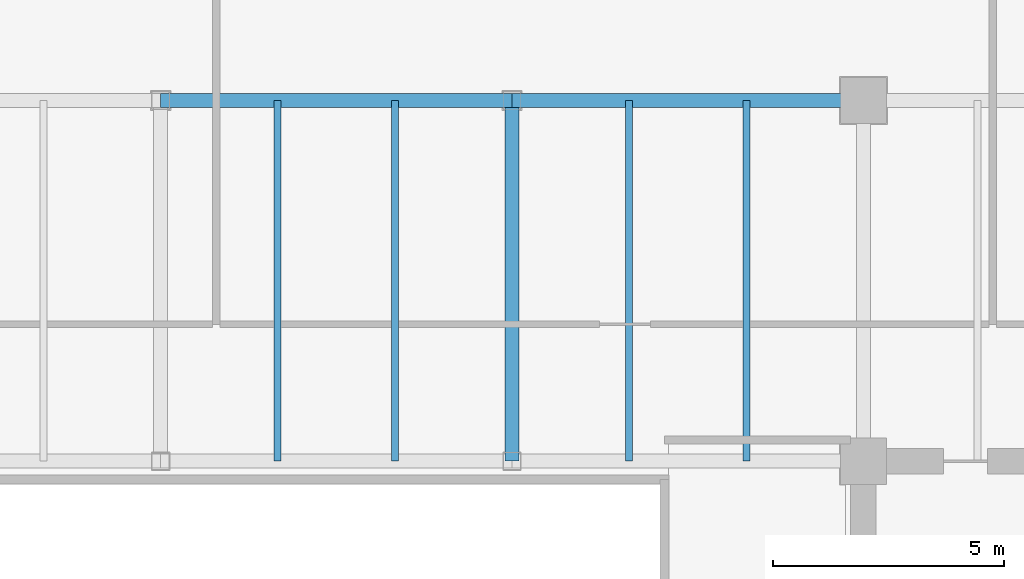
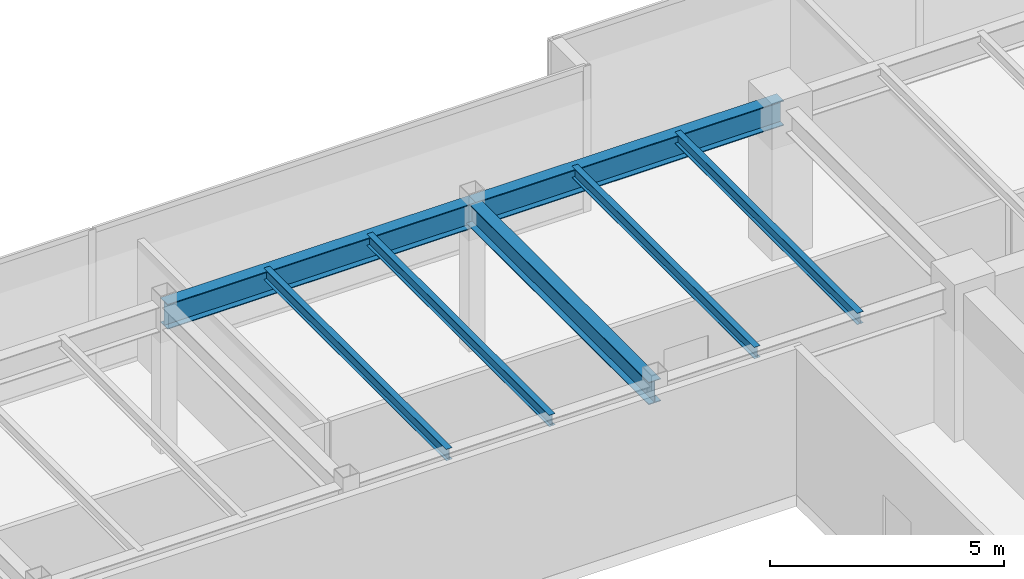
# One storey, part 18 of 35: 7 beams.
"""IFC4 building model written with IfcOpenShell, lengths in metres."""

from ifc_helpers import new_model, si_unit, direction, frame, origin, origin_2d, place, context, subcontext, project, spatial, i_section, extrude, source, transform, mapped, material, material_profile, profile_set, type_object, type_shapes, element, save


model = new_model("IFC4")

# Units and contexts
model_context = context("Model", 3, precision=1e-05, world=origin(), true_north=direction((0.0, 1.0)))
body_context = subcontext(model_context, "Body", "Model", "MODEL_VIEW")
ifc_project = project(units=[si_unit("LENGTHUNIT", "METRE"), si_unit("AREAUNIT", "SQUARE_METRE"), si_unit("VOLUMEUNIT", "CUBIC_METRE"), si_unit("PLANEANGLEUNIT", "RADIAN"), si_unit("MASSUNIT", "GRAM", prefix="KILO")], contexts=[model_context])

# Site, building, storey
site_placement = place(None, origin())
site = spatial("IfcSite", under=ifc_project, at=site_placement, CompositionType="ELEMENT")
building_placement = place(site_placement, origin())
building = spatial("IfcBuilding", under=site, at=building_placement, Name="Haelvirn Gate Laboratories", CompositionType="ELEMENT")
storey_placement = place(building_placement, frame((0.0, 0.0, 221.89990234375)))
storey = spatial("IfcBuildingStorey", under=building, at=storey_placement, Name="L53", CompositionType="ELEMENT", Elevation=221.89990234375)

# Beams
ifc_material = material(Name="Steel SM355", Category="steel")
ifc_material_profile_1 = material_profile(ifc_material, i_section(OverallWidth=0.14990234375, OverallDepth=0.300048828125, WebThickness=0.006591796875, FlangeThickness=0.009033203125, at=origin_2d()), Name="H-300x150x6.5x9")
ifc_profile_set_1 = profile_set([ifc_material_profile_1], Name="Steel SM355")
beam_type_1 = type_object("IfcBeamType", Name="BM-J-300", PredefinedType="JOIST", material=ifc_profile_set_1)
shared_shape_1 = source(origin(), body_context, "Body", "SweptSolid", [
    extrude(i_section(OverallWidth=0.14990234375, OverallDepth=0.300048828125, WebThickness=0.006591796875, FlangeThickness=0.009033203125, at=origin_2d()), origin(), (0.0, 0.0, 1.0), 7.800048828125),
])
type_shapes(beam_type_1, [shared_shape_1])
for number, where, z_axis, x_axis, name in (
    (1, (39.929931640625, 33.800048828125, 3.650146484375), (0.0, 1.0, 0.0), (-1.0, 0.0, 0.0), "L53 Composite Lab Joist North X39.93"),
    (2, (42.469970703125, 33.800048828125, 3.650146484375), (0.0, 1.0, 0.0), (-1.0, 0.0, 0.0), "L53 Composite Lab Joist North X42.47"),
    (3, (47.530029296875, 33.800048828125, 3.650146484375), (0.0, 1.0, 0.0), (-1.0, 0.0, 0.0), "L53 Composite Lab Joist North X47.53"),
    (4, (50.070068359375, 33.800048828125, 3.650146484375), (0.0, 1.0, 0.0), (-1.0, 0.0, 0.0), "L53 Composite Lab Joist North X50.07"),
):
    element("IfcBeam", number, at=place(storey_placement, frame(where, z_axis=z_axis, x_axis=x_axis)), inside=storey, type_object=beam_type_1, Name=name, PredefinedType="JOIST", context=body_context, shape_type="MappedRepresentation", body=[
        mapped(shared_shape_1, transform((0.0, 0.0, 0.0), scale=1.0)),
    ])
ifc_material_profile_2 = material_profile(ifc_material, i_section(OverallWidth=0.300048828125, OverallDepth=0.587890625, WebThickness=0.011962890625, FlangeThickness=0.02001953125, at=origin_2d()), Name="H-588x300x12x20")
ifc_profile_set_2 = profile_set([ifc_material_profile_2], Name="Steel SM355")
beam_type_2 = type_object("IfcBeamType", Name="BM-G-588", PredefinedType="BEAM", material=ifc_profile_set_2)
shared_shape_2 = source(origin(), body_context, "Body", "SweptSolid", [
    extrude(i_section(OverallWidth=0.300048828125, OverallDepth=0.587890625, WebThickness=0.011962890625, FlangeThickness=0.02001953125, at=origin_2d()), origin(), (0.0, 0.0, 1.0), 7.800048828125),
])
type_shapes(beam_type_2, [shared_shape_2])
beam_placement = place(storey_placement, frame((45.0, 33.800048828125, 3.506103515625), z_axis=(0.0, 1.0, 0.0), x_axis=(-1.0, 0.0, 0.0)))
element("IfcBeam", 5, at=beam_placement, inside=storey, type_object=beam_type_2, Name="L53 Frame Girder X45.0 (33.8-41.6)", PredefinedType="BEAM", context=body_context, shape_type="MappedRepresentation", body=[
    mapped(shared_shape_2, transform((0.0, 0.0, 0.0), scale=1.0)),
])
ifc_material_profile_3 = material_profile(ifc_material, i_section(OverallWidth=0.300048828125, OverallDepth=0.64990234375, WebThickness=0.012939453125, FlangeThickness=0.02197265625, at=origin_2d()), Name="H-650x300x13x22")
ifc_profile_set_3 = profile_set([ifc_material_profile_3], Name="Steel SM355")
beam_type_3 = type_object("IfcBeamType", Name="BM-G-650", PredefinedType="BEAM", material=ifc_profile_set_3)
shared_shape_3 = source(origin(), body_context, "Body", "SweptSolid", [
    extrude(i_section(OverallWidth=0.300048828125, OverallDepth=0.64990234375, WebThickness=0.012939453125, FlangeThickness=0.02197265625, at=origin_2d()), origin(), (0.0, 0.0, 1.0), 7.60009765625),
])
type_shapes(beam_type_3, [shared_shape_3])
for number, where, z_axis, x_axis, name in (
    (6, (37.39990234375, 41.60009765625, 3.47509765625), (1.0, 0.0, 0.0), (0.0, 1.0, 0.0), "L53 Primary Girder Y41.6 (37.4-45.0)"),
    (7, (45.0, 41.60009765625, 3.47509765625), (1.0, 0.0, 0.0), (0.0, 1.0, 0.0), "L53 Primary Girder Y41.6 (45.0-52.6)"),
):
    element("IfcBeam", number, at=place(storey_placement, frame(where, z_axis=z_axis, x_axis=x_axis)), inside=storey, type_object=beam_type_3, Name=name, PredefinedType="BEAM", context=body_context, shape_type="MappedRepresentation", body=[
        mapped(shared_shape_3, transform((0.0, 0.0, 0.0), scale=1.0)),
    ])

save(model, "model.ifc")
